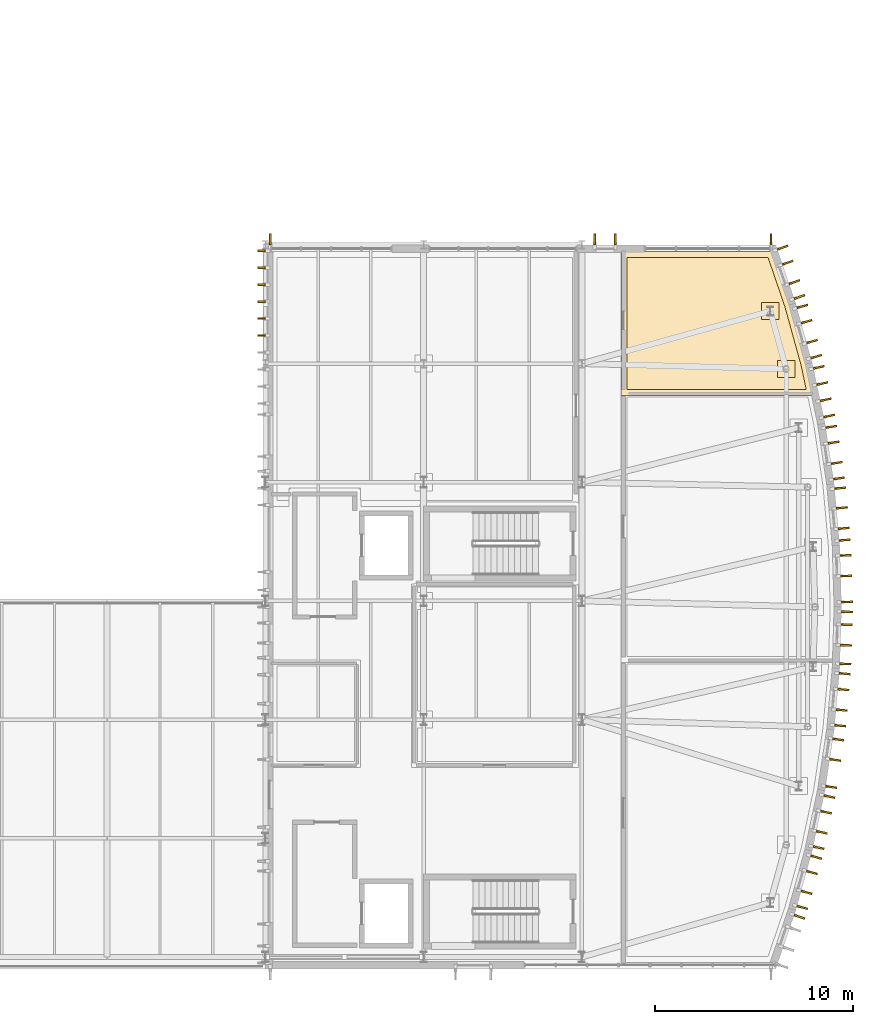
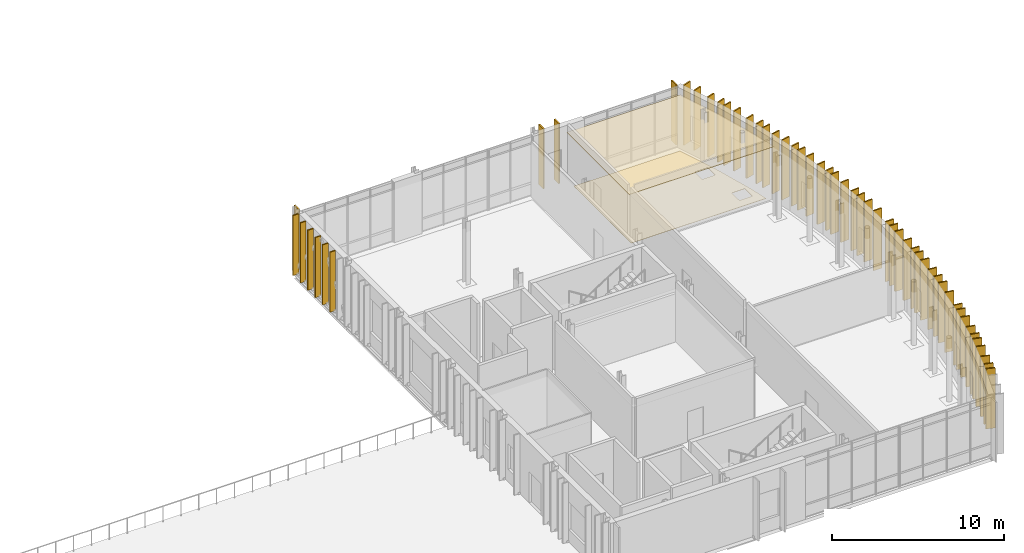
# One storey, part 62 of 62: 55 coverings.
"""IFC4 building model written with IfcOpenShell, lengths in metres."""

from ifc_helpers import new_model, si_unit, direction, frame, origin, origin_2d, place, context, subcontext, project, spatial, polyline, rectangle, outline, extrude, material, layer, layer_set, type_object, element, save


model = new_model("IFC4")

# Units and contexts
model_context = context("Model", 3, precision=1e-05, world=origin(), true_north=direction((0.0, 1.0)))
body_context = subcontext(model_context, "Body", "Model", "MODEL_VIEW")
ifc_project = project(units=[si_unit("LENGTHUNIT", "METRE"), si_unit("AREAUNIT", "SQUARE_METRE"), si_unit("VOLUMEUNIT", "CUBIC_METRE"), si_unit("PLANEANGLEUNIT", "RADIAN"), si_unit("MASSUNIT", "GRAM", prefix="KILO")], contexts=[model_context])

# Site, building, storey
site_placement = place(None, origin())
site = spatial("IfcSite", under=ifc_project, at=site_placement, CompositionType="ELEMENT")
building_placement = place(site_placement, origin())
building = spatial("IfcBuilding", under=site, at=building_placement, Name="Cymarion Research Institute", CompositionType="ELEMENT")
storey_placement = place(building_placement, frame((0.0, 0.0, 18.300048828125)))
storey = spatial("IfcBuildingStorey", under=building, at=storey_placement, Name="L04", CompositionType="ELEMENT", Elevation=18.300048828125)

# Coverings
ifc_material_1 = material(Name="Micro-perforated mineral acoustic ceiling tile", Category="gypsum")
ifc_layer_1 = layer(ifc_material_1, 0.030029296875)
ifc_layer_set_1 = layer_set([ifc_layer_1], Name="Micro-perforated mineral acoustic ceiling tile")
covering_type_1 = type_object("IfcCoveringType", Name="ACOUSTIC MICRO-PERFORATED SUSPENDED CEILING CLG-01", PredefinedType="CEILING", material=ifc_layer_set_1)
covering_1_placement = place(storey_placement, frame((0.0, 0.0, 3.72998046875)))
element("IfcCovering", 1, at=covering_1_placement, inside=storey, type_object=covering_type_1, Name="L04 L04 Accessible Restroom & Tea Pantry acoustic ceiling", PredefinedType="CEILING", context=body_context, shape_type="SweptSolid", body=[
    extrude(outline(polyline([(164.22412109375, 41.1650390625), (165.14599609375, 38.47021484375), (165.971923828125, 35.482666015625), (166.31201171875, 33.885009765625), (156.5849609375, 33.885009765625), (156.5849609375, 41.1650390625), (164.22412109375, 41.1650390625)])), origin(), (0.0, 0.0, 1.0), 0.030029296875),
])
ifc_material_2 = material(Name="Precast concrete C45/55 architectural white", Category="concrete")
ifc_layer_2 = layer(ifc_material_2, 0.090087890625)
ifc_layer_set_2 = layer_set([ifc_layer_2], Name="Precast concrete C45/55 architectural white")
covering_type_2 = type_object("IfcCoveringType", Name="ARCHITECTURAL WHITE PRECAST CONCRETE VERTICAL FIN FIN1 560MM", PredefinedType="CLADDING", material=ifc_layer_set_2)
for number, where, z_axis, x_axis, name in (
    (2, (165.597900390625, 7.530029296875, 0.009765625), (0.0, 0.0, 1.0), (0.946141878672, -0.32375229022, 0.0), "L04 V1 white precast vertical fin FIN1 #426"),
    (3, (165.74462890625, 8.004638671875, 0.009765625), (0.0, 0.0, 1.0), (0.963863295733, -0.266397348219, 0.0), "L04 V1 white precast vertical fin FIN1 #427"),
    (4, (165.95556640625, 8.76806640625, 0.009765625), (0.0, 0.0, 1.0), (0.963863295733, -0.266397348219, 0.0), "L04 V1 white precast vertical fin FIN1 #428"),
    (5, (166.232666015625, 9.7705078125, 0.009765625), (0.0, 0.0, 1.0), (0.963863295733, -0.266397348219, 0.0), "L04 V1 white precast vertical fin FIN1 #429"),
    (6, (166.447021484375, 10.545654296875, 0.009765625), (0.0, 0.0, 1.0), (0.963863295733, -0.266397348219, 0.0), "L04 V1 white precast vertical fin FIN1 #430"),
    (7, (166.56494140625, 11.028076171875, 0.009765625), (0.0, 0.0, 1.0), (0.978074966272, -0.208253116068, 0.0), "L04 V1 white precast vertical fin FIN1 #431"),
    (8, (166.72998046875, 11.802734375, 0.009765625), (0.0, 0.0, 1.0), (0.978074966272, -0.208253116068, 0.0), "L04 V1 white precast vertical fin FIN1 #432"),
    (9, (166.946533203125, 12.820068359375, 0.009765625), (0.0, 0.0, 1.0), (0.978074966272, -0.208253116068, 0.0), "L04 V1 white precast vertical fin FIN1 #433"),
    (10, (167.114013671875, 13.606689453125, 0.009765625), (0.0, 0.0, 1.0), (0.978074966272, -0.208253116068, 0.0), "L04 V1 white precast vertical fin FIN1 #434"),
    (11, (167.202880859375, 14.09521484375, 0.009765625), (0.0, 0.0, 1.0), (0.988782464828, -0.149362770624, 0.0), "L04 V1 white precast vertical fin FIN1 #435"),
    (12, (167.409423828125, 15.4638671875, 0.009765625), (0.0, 0.0, 1.0), (0.988782464828, -0.149362770624, 0.0), "L04 V1 white precast vertical fin FIN1 #436"),
    (13, (167.564697265625, 16.4921875, 0.009765625), (0.0, 0.0, 1.0), (0.988782464828, -0.149362770624, 0.0), "L04 V1 white precast vertical fin FIN1 #437"),
    (14, (167.65576171875, 17.195068359375, 0.009765625), (0.0, 0.0, 1.0), (0.995963111248, -0.089763472712, 0.0), "L04 V1 white precast vertical fin FIN1 #438"),
    (15, (167.726806640625, 17.98388671875, 0.009765625), (0.0, 0.0, 1.0), (0.995963111248, -0.089763472712, 0.0), "L04 V1 white precast vertical fin FIN1 #439"),
    (16, (167.8203125, 19.019775390625, 0.009765625), (0.0, 0.0, 1.0), (0.995963111248, -0.089763472712, 0.0), "L04 V1 white precast vertical fin FIN1 #440"),
    (17, (167.892333984375, 19.82080078125, 0.009765625), (0.0, 0.0, 1.0), (0.995963111248, -0.089763472712, 0.0), "L04 V1 white precast vertical fin FIN1 #441"),
    (18, (167.922119140625, 20.31640625, 0.009765625), (0.0, 0.0, 1.0), (0.99954944375, -0.030015154483, 0.0), "L04 V1 white precast vertical fin FIN1 #442"),
    (19, (167.950439453125, 21.259033203125, 0.009765625), (0.0, 0.0, 1.0), (0.99954944375, -0.030015154483, 0.0), "L04 V1 white precast vertical fin FIN1 #443"),
    (20, (167.981689453125, 22.298583984375, 0.009765625), (0.0, 0.0, 1.0), (0.99954944375, -0.030015154483, 0.0), "L04 V1 white precast vertical fin FIN1 #444"),
    (21, (168.001220703125, 22.95166015625, 0.009765625), (0.0, 0.0, 1.0), (0.99954944375, -0.030015154483, 0.0), "L04 V1 white precast vertical fin FIN1 #445"),
    (22, (168.001220703125, 23.4482421875, 0.009765625), (0.0, 0.0, 1.0), (0.99954944375, 0.030015154483, 0.0), "L04 V1 white precast vertical fin FIN1 #446"),
    (23, (167.961669921875, 24.763916015625, 0.009765625), (0.0, 0.0, 1.0), (0.99954944375, 0.030015154483, 0.0), "L04 V1 white precast vertical fin FIN1 #447"),
    (24, (167.9306640625, 25.80322265625, 0.009765625), (0.0, 0.0, 1.0), (0.99954944375, 0.030015154483, 0.0), "L04 V1 white precast vertical fin FIN1 #448"),
    (25, (167.892333984375, 26.579345703125, 0.009765625), (0.0, 0.0, 1.0), (0.995963111248, 0.089763472712, 0.0), "L04 V1 white precast vertical fin FIN1 #449"),
    (26, (167.8388671875, 27.1728515625, 0.009765625), (0.0, 0.0, 1.0), (0.995963111248, 0.089763472712, 0.0), "L04 V1 white precast vertical fin FIN1 #450"),
    (27, (167.74560546875, 28.20849609375, 0.009765625), (0.0, 0.0, 1.0), (0.995963111248, 0.089763472712, 0.0), "L04 V1 white precast vertical fin FIN1 #451"),
    (28, (167.65576171875, 29.204833984375, 0.009765625), (0.0, 0.0, 1.0), (0.995963111248, 0.089763472712, 0.0), "L04 V1 white precast vertical fin FIN1 #452"),
    (29, (167.59619140625, 29.697998046875, 0.009765625), (0.0, 0.0, 1.0), (0.988782464828, 0.149362770624, 0.0), "L04 V1 white precast vertical fin FIN1 #453"),
    (30, (167.47802734375, 30.481201171875, 0.009765625), (0.0, 0.0, 1.0), (0.988782464828, 0.149362770624, 0.0), "L04 V1 white precast vertical fin FIN1 #454"),
    (31, (167.32275390625, 31.509521484375, 0.009765625), (0.0, 0.0, 1.0), (0.988782464828, 0.149362770624, 0.0), "L04 V1 white precast vertical fin FIN1 #455"),
    (32, (167.202880859375, 32.3046875, 0.009765625), (0.0, 0.0, 1.0), (0.988782464828, 0.149362770624, 0.0), "L04 V1 white precast vertical fin FIN1 #456"),
    (33, (167.1015625, 32.85205078125, 0.009765625), (0.0, 0.0, 1.0), (0.978074966272, 0.208253116068, 0.0), "L04 V1 white precast vertical fin FIN1 #457"),
    (34, (166.9267578125, 33.672607421875, 0.009765625), (0.0, 0.0, 1.0), (0.978074966272, 0.208253116068, 0.0), "L04 V1 white precast vertical fin FIN1 #458"),
    (35, (166.752197265625, 34.492919921875, 0.009765625), (0.0, 0.0, 1.0), (0.978074966272, 0.208253116068, 0.0), "L04 V1 white precast vertical fin FIN1 #459"),
    (36, (166.577392578125, 35.313232421875, 0.009765625), (0.0, 0.0, 1.0), (0.978074966272, 0.208253116068, 0.0), "L04 V1 white precast vertical fin FIN1 #460"),
    (37, (166.447021484375, 35.8544921875, 0.009765625), (0.0, 0.0, 1.0), (0.963863295733, 0.266397348219, 0.0), "L04 V1 white precast vertical fin FIN1 #461"),
    (38, (166.236083984375, 36.61767578125, 0.009765625), (0.0, 0.0, 1.0), (0.963863295733, 0.266397348219, 0.0), "L04 V1 white precast vertical fin FIN1 #462"),
    (39, (165.958984375, 37.6201171875, 0.009765625), (0.0, 0.0, 1.0), (0.963863295733, 0.266397348219, 0.0), "L04 V1 white precast vertical fin FIN1 #463"),
    (40, (165.74462890625, 38.395263671875, 0.009765625), (0.0, 0.0, 1.0), (0.963863295733, 0.266397348219, 0.0), "L04 V1 white precast vertical fin FIN1 #464"),
    (41, (165.597900390625, 38.869873046875, 0.009765625), (0.0, 0.0, 1.0), (0.946141878672, 0.32375229022, 0.0), "L04 V1 white precast vertical fin FIN1 #465"),
    (42, (165.341552734375, 39.619140625, 0.009765625), (0.0, 0.0, 1.0), (0.946141878672, 0.32375229022, 0.0), "L04 V1 white precast vertical fin FIN1 #466"),
    (43, (165.0048828125, 40.603271484375, 0.009765625), (0.0, 0.0, 1.0), (0.946141878672, 0.32375229022, 0.0), "L04 V1 white precast vertical fin FIN1 #467"),
    (44, (164.744384765625, 41.3642578125, 0.009765625), (0.0, 0.0, 1.0), (0.946141878672, 0.32375229022, 0.0), "L04 V1 white precast vertical fin FIN1 #468"),
    (45, (164.159912109375, 41.781982421875, 0.009765625), (0.0, 0.0, 1.0), (0.0, 1.0, 0.0), "L04 V1 white precast vertical fin FIN1 #469"),
    (46, (156.289794921875, 41.781982421875, 0.009765625), (0.0, 0.0, 1.0), (0.0, 1.0, 0.0), "L04 V1 white precast vertical fin FIN1 #470"),
    (47, (155.249755859375, 41.781982421875, 0.009765625), (0.0, 0.0, 1.0), (0.0, 1.0, 0.0), "L04 V1 white precast vertical fin FIN1 #471"),
    (48, (138.840087890625, 41.781982421875, 0.009765625), (0.0, 0.0, 1.0), (0.0, 1.0, 0.0), "L04 V1 white precast vertical fin FIN1 #472"),
):
    element("IfcCovering", number, at=place(storey_placement, frame(where, z_axis=z_axis, x_axis=x_axis)), inside=storey, type_object=covering_type_2, Name=name, PredefinedType="CLADDING", context=body_context, shape_type="SweptSolid", body=[
        extrude(rectangle(XDim=0.56005859375, YDim=0.090087890625, at=origin_2d()), origin(), (0.0, 0.0, 1.0), 4.260009765625),
    ])
ifc_layer_3 = layer(ifc_material_2, 0.0849609375)
ifc_layer_set_3 = layer_set([ifc_layer_3], Name="Precast concrete C45/55 architectural white")
covering_type_3 = type_object("IfcCoveringType", Name="ARCHITECTURAL WHITE PRECAST CONCRETE VERTICAL FIN FIN3 380MM", PredefinedType="CLADDING", material=ifc_layer_set_3)
for number, where, z_axis, x_axis, name in (
    (49, (138.407958984375, 41.199951171875, 0.009765625), (0.0, 0.0, 1.0), (-1.0, 0.0, 0.0), "L04 V1 white precast vertical fin FIN3 #473"),
    (50, (138.407958984375, 40.343017578125, 0.009765625), (0.0, 0.0, 1.0), (-1.0, 0.0, 0.0), "L04 V1 white precast vertical fin FIN3 #474"),
    (51, (138.407958984375, 39.485595703125, 0.009765625), (0.0, 0.0, 1.0), (-1.0, 0.0, 0.0), "L04 V1 white precast vertical fin FIN3 #475"),
    (52, (138.407958984375, 38.628662109375, 0.009765625), (0.0, 0.0, 1.0), (-1.0, 0.0, 0.0), "L04 V1 white precast vertical fin FIN3 #476"),
    (53, (138.407958984375, 37.771484375, 0.009765625), (0.0, 0.0, 1.0), (-1.0, 0.0, 0.0), "L04 V1 white precast vertical fin FIN3 #477"),
    (54, (138.407958984375, 36.914306640625, 0.009765625), (0.0, 0.0, 1.0), (-1.0, 0.0, 0.0), "L04 V1 white precast vertical fin FIN3 #478"),
):
    element("IfcCovering", number, at=place(storey_placement, frame(where, z_axis=z_axis, x_axis=x_axis)), inside=storey, type_object=covering_type_3, Name=name, PredefinedType="CLADDING", context=body_context, shape_type="SweptSolid", body=[
        extrude(rectangle(XDim=0.3798828125, YDim=0.0849609375, at=origin_2d()), origin(), (0.0, 0.0, 1.0), 4.260009765625),
    ])
ifc_material_3 = material(Name="Seamless dissipative epoxy resin flooring", Category="resin")
ifc_layer_4 = layer(ifc_material_3, 0.02001953125)
ifc_layer_set_4 = layer_set([ifc_layer_4], Name="Seamless dissipative epoxy resin flooring")
covering_type_4 = type_object("IfcCoveringType", Name="SEAMLESS ESD EPOXY LABORATORY FLOORING FLR-01", PredefinedType="FLOORING", material=ifc_layer_set_4)
covering_2_placement = place(storey_placement, origin())
element("IfcCovering", 55, at=covering_2_placement, inside=storey, type_object=covering_type_4, Name="L04 L04 Accessible Restroom & Tea Pantry ESD epoxy flooring", PredefinedType="FLOORING", context=body_context, shape_type="SweptSolid", body=[
    extrude(outline(polyline([(156.885009765625, 40.864990234375), (164.009521484375, 40.864990234375), (164.859130859375, 38.381591796875), (165.680419921875, 35.411376953125), (165.94140625, 34.18505859375), (156.885009765625, 34.18505859375), (156.885009765625, 40.864990234375)]), holes=[polyline([(164.492919921875, 35.662353515625), (164.492919921875, 34.792236328125), (165.36279296875, 34.792236328125), (165.36279296875, 35.662353515625), (164.492919921875, 35.662353515625)]), polyline([(163.68408203125, 38.587890625), (163.68408203125, 37.718017578125), (164.553955078125, 37.718017578125), (164.553955078125, 38.587890625), (163.68408203125, 38.587890625)])]), origin(), (0.0, 0.0, 1.0), 0.02001953125),
])

save(model, "model.ifc")
